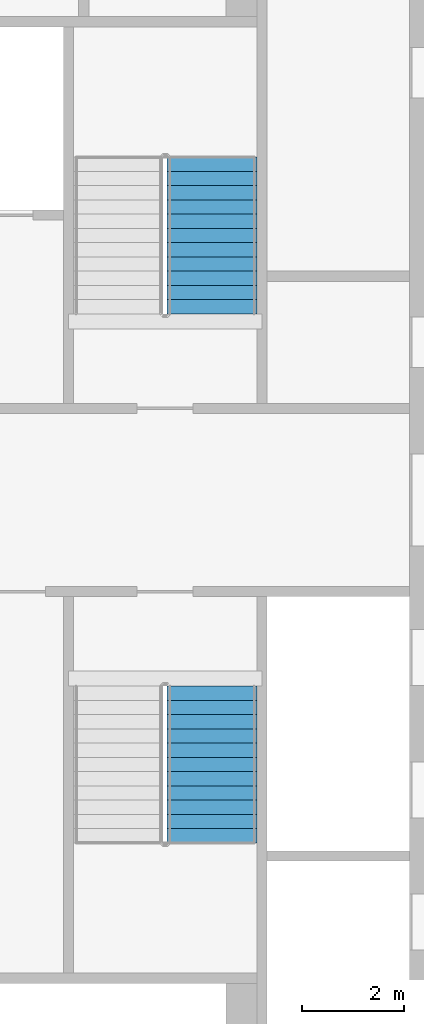
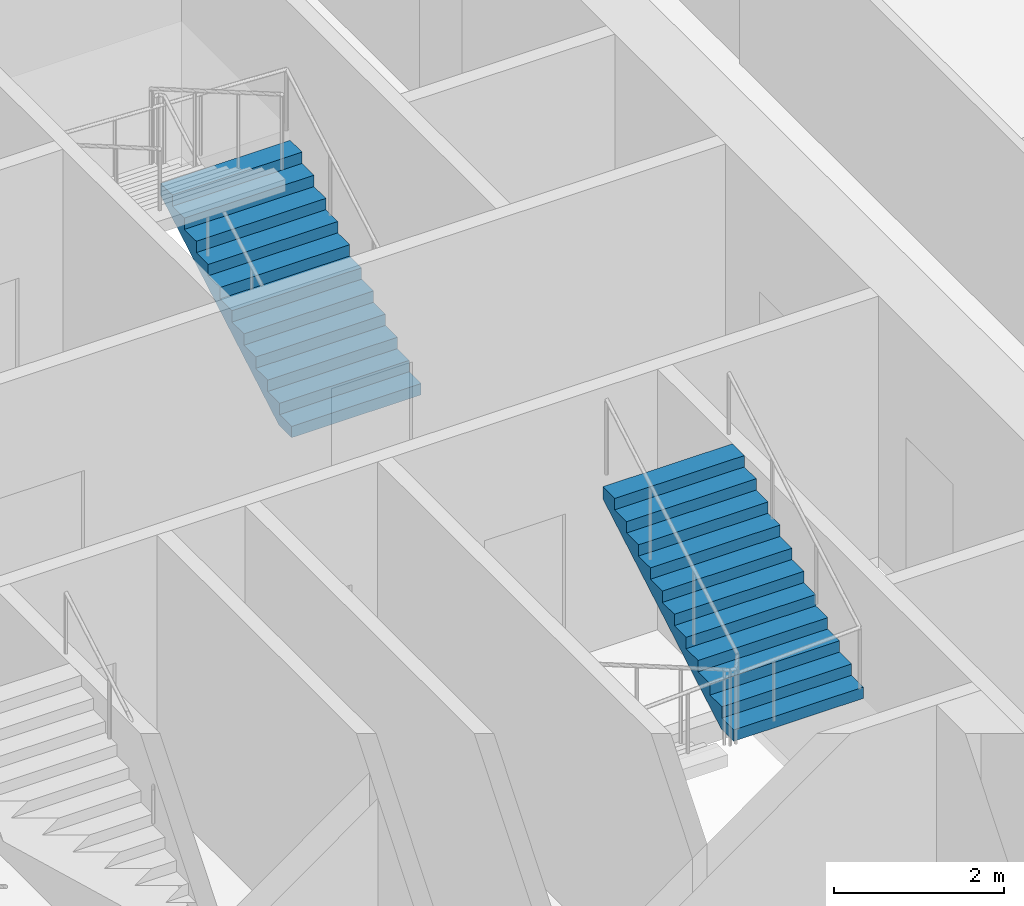
# One storey, part 10 of 15: 2 stair flights, 2 elements without a shape of their own.
"""IFC4 building model written with IfcOpenShell, lengths in metres."""

import ifcopenshell
import ifcopenshell.guid

model = None  # the IFC model being written
_history = None  # IfcOwnerHistory: only IFC2X3 demands one
_inside = {}  # id of a spatial element -> (the spatial element, [elements in it])
_under = {}  # id of a project, library or spatial element -> (it, [spatial elements below it])
_declared = {}  # id of a project -> (the project, [libraries it declares])
_typed = {}  # id of a type object -> (the type object, [elements of that type])
_made_of = {}  # id of a material, layer set ... -> (it, [elements and type objects made of it])


def new_model(schema):
    """Start an empty IFC model of exactly this schema.

    Asked for "IFC4X3", IfcOpenShell would pick the latest addendum, in which some entities
    have other attributes; the version numbers below select the first issue.
    IFC2X3 requires an IfcOwnerHistory on every rooted entity: one is made here for all.
    """
    global model, _history
    if schema == "IFC4X3":
        model = ifcopenshell.file(schema_version=(4, 3, 0, 0))
    else:
        model = ifcopenshell.file(schema=schema)
    _inside.clear()
    _under.clear()
    _declared.clear()
    _typed.clear()
    _made_of.clear()
    _history = None
    if model.schema == "IFC2X3":
        org = make("IfcOrganization", Name="unknown")
        user = make(
            "IfcPersonAndOrganization",
            ThePerson=make("IfcPerson", FamilyName="unknown"),
            TheOrganization=org,
        )
        app = make(
            "IfcApplication",
            ApplicationDeveloper=org,
            Version="unknown",
            ApplicationFullName="unknown",
            ApplicationIdentifier="unknown",
        )
        _history = make(
            "IfcOwnerHistory",
            OwningUser=user,
            OwningApplication=app,
            ChangeAction="ADDED",
            CreationDate=0,
        )
    return model


def make(cls, **values):
    """One entity of the class cls with the attributes given. An attribute that is None is left unset."""
    return model.create_entity(
        cls, **{name: value for name, value in values.items() if value is not None}
    )


def rooted(cls, **values):
    """An entity with a GlobalId (a new one), such as an element, a storey or a relation."""
    return make(cls, GlobalId=ifcopenshell.guid.new(), OwnerHistory=_history, **values)


def si_unit(unit_type, name, prefix=None):
    """IfcSIUnit, for example si_unit("LENGTHUNIT", "METRE", prefix="MILLI")."""
    return make("IfcSIUnit", UnitType=unit_type, Prefix=prefix, Name=name)


def assignment(units):
    """IfcUnitAssignment: the units of a project."""
    return None if units is None else make("IfcUnitAssignment", Units=units)


def point(xyz):
    """IfcCartesianPoint."""
    return None if xyz is None else make("IfcCartesianPoint", Coordinates=xyz)


def direction(xyz):
    """IfcDirection."""
    return None if xyz is None else make("IfcDirection", DirectionRatios=xyz)


def frame(location, z_axis=None, x_axis=None):
    """IfcAxis2Placement3D, a coordinate frame: its origin and axes. An axis left out is left unset."""
    return make(
        "IfcAxis2Placement3D",
        Location=point(location),
        Axis=direction(z_axis),
        RefDirection=direction(x_axis),
    )


def origin():
    """The frame at (0, 0, 0) with its axes left unset."""
    return frame((0.0, 0.0, 0.0))


def place(relative_to, where):
    """IfcLocalPlacement: puts the frame where relative to a parent placement (None: the world)."""
    return make(
        "IfcLocalPlacement", PlacementRelTo=relative_to, RelativePlacement=where
    )


def context(
    kind, dimensions, precision=None, world=None, true_north=None, identifier=None
):
    """IfcGeometricRepresentationContext, for example the 3D "Model" context."""
    return make(
        "IfcGeometricRepresentationContext",
        ContextIdentifier=identifier,
        ContextType=kind,
        CoordinateSpaceDimension=dimensions,
        Precision=precision,
        WorldCoordinateSystem=world,
        TrueNorth=true_north,
    )


def subcontext(parent, identifier, kind, view, scale=None):
    """IfcGeometricRepresentationSubContext, for example "Body" below "Model"."""
    return make(
        "IfcGeometricRepresentationSubContext",
        ContextIdentifier=identifier,
        ContextType=kind,
        ParentContext=parent,
        TargetScale=scale,
        TargetView=view,
    )


def project(units=None, contexts=None):
    """IfcProject with its units and contexts."""
    return rooted(
        "IfcProject",
        Name="project",
        RepresentationContexts=contexts,
        UnitsInContext=assignment(units),
    )


def spatial(cls, under=None, at=None, **own):
    """A site, building, storey or space (cls), placed at a placement, below another one or the project."""
    s = rooted(cls, ObjectPlacement=at, **own)
    if under is not None:
        _under.setdefault(under.id(), (under, []))[1].append(s)
    return s


def faces_of(points, faces, orient=None, outer=None):
    """IfcFace entities. A face is a list of loops; a loop is a list of indices into points, from 0.

    orient and outer hold one flag for each loop. By default every Orientation is true, the
    first loop of a face is its IfcFaceOuterBound and the others are IfcFaceBound.
    """
    made = []
    for i, loops in enumerate(faces):
        bounds = []
        for j, loop in enumerate(loops):
            is_outer = j == 0 if outer is None else outer[i][j]
            bounds.append(
                make(
                    "IfcFaceOuterBound" if is_outer else "IfcFaceBound",
                    Bound=make("IfcPolyLoop", Polygon=[points[k] for k in loop]),
                    Orientation=True if orient is None else orient[i][j],
                )
            )
        made.append(make("IfcFace", Bounds=bounds))
    return made


def faceted_brep(points, faces, orient=None, outer=None, voids=None):
    """IfcFacetedBrep: a solid bounded by flat faces; with voids (closed shells), ...WithVoids."""
    shared = [point(p) for p in points]
    hull = make("IfcClosedShell", CfsFaces=faces_of(shared, faces, orient, outer))
    if voids is None:
        return make("IfcFacetedBrep", Outer=hull)
    return make(
        "IfcFacetedBrepWithVoids",
        Outer=hull,
        Voids=[
            make(cls, CfsFaces=faces_of(shared, fs, o, b)) for cls, fs, o, b in voids
        ],
    )


def shape(context_of_items, identifier, shape_type, items):
    """IfcShapeRepresentation: the items that make up one representation, for example the "Body"."""
    return make(
        "IfcShapeRepresentation",
        ContextOfItems=context_of_items,
        RepresentationIdentifier=identifier,
        RepresentationType=shape_type,
        Items=items,
    )


def material(Name=None, Category=None):
    """IfcMaterial."""
    return make("IfcMaterial", Name=Name, Category=Category)


def made_of(thing, what):
    """Note that an element or type object is made of a material, layer set ...; save() writes the relation."""
    if what is not None:
        _made_of.setdefault(what.id(), (what, []))[1].append(thing)
    return thing


def type_object(cls, material=None, **own):
    """A type object (cls), such as IfcWallType, which elements share."""
    return made_of(rooted(cls, **own), material)


def element(
    cls,
    number,
    at=None,
    inside=None,
    cuts=None,
    type_object=None,
    material=None,
    context=None,
    identifier="Body",
    shape_type=None,
    held_by="IfcProductDefinitionShape",
    body=None,
    shapes=None,
    **own,
):
    """One element of the class cls, such as IfcWall. Its Tag is "e" and its number.

    at: its placement. inside: the storey or other place that contains it. cuts: it is an
    opening in that element (IfcRelVoidsElement). A single representation is given by context,
    identifier, shape_type and body (its items); several are given by shapes. held_by: the class
    of the entity that holds the representations. save() writes the other relations.
    """
    e = rooted(cls, Tag="e%d" % number, ObjectPlacement=at, **own)
    if body is not None:
        shapes = [shape(context, identifier, shape_type, body)]
    if shapes is not None:
        e.Representation = make(held_by, Representations=shapes)
    if inside is not None:
        _inside.setdefault(inside.id(), (inside, []))[1].append(e)
    if cuts is not None:
        rooted(
            "IfcRelVoidsElement", RelatingBuildingElement=cuts, RelatedOpeningElement=e
        )
    if type_object is not None:
        _typed.setdefault(type_object.id(), (type_object, []))[1].append(e)
    return made_of(e, material)


def aggregate(whole, parts):
    """IfcRelAggregates: a whole, such as a stair, and the parts it consists of."""
    return rooted("IfcRelAggregates", RelatingObject=whole, RelatedObjects=parts)


def save(model, path):
    """Write the relations noted so far, then the file.

    IfcRelAggregates (storeys below a building ...), IfcRelContainedInSpatialStructure (elements
    in a storey), IfcRelDefinesByType, IfcRelAssociatesMaterial and IfcRelDeclares: one each for
    every whole, place, type object, material and project.
    """
    for whole, parts in _under.values():
        aggregate(whole, parts)
    for where, things in _inside.values():
        rooted(
            "IfcRelContainedInSpatialStructure",
            RelatedElements=things,
            RelatingStructure=where,
        )
    for kind, things in _typed.values():
        rooted("IfcRelDefinesByType", RelatedObjects=things, RelatingType=kind)
    for what, things in _made_of.values():
        rooted("IfcRelAssociatesMaterial", RelatedObjects=things, RelatingMaterial=what)
    for by, libraries in _declared.values():
        rooted("IfcRelDeclares", RelatingContext=by, RelatedDefinitions=libraries)
    model.write(path)


model = new_model("IFC4")

# Units and contexts
model_context = context("Model", 3, precision=1e-05, world=origin(), true_north=direction((0.0, 1.0)))
body_context = subcontext(model_context, "Body", "Model", "MODEL_VIEW")
ifc_project = project(units=[si_unit("LENGTHUNIT", "METRE"), si_unit("AREAUNIT", "SQUARE_METRE"), si_unit("VOLUMEUNIT", "CUBIC_METRE"), si_unit("PLANEANGLEUNIT", "RADIAN"), si_unit("MASSUNIT", "GRAM", prefix="KILO")], contexts=[model_context])

# Site, building, storey
site_placement = place(None, origin())
site = spatial("IfcSite", under=ifc_project, at=site_placement, CompositionType="ELEMENT")
building_placement = place(site_placement, origin())
building = spatial("IfcBuilding", under=site, at=building_placement, Name="Tarsis Ring Headquarters", CompositionType="ELEMENT")
storey_placement = place(building_placement, frame((0.0, 0.0, 151.5)))
storey = spatial("IfcBuildingStorey", under=building, at=storey_placement, Name="L34", CompositionType="ELEMENT", Elevation=151.5)

# Stair, stair flight
ifc_material_1 = material(Name="Core stair 1760")
stair_type = type_object("IfcStairType", Name="Core stair 1760", PredefinedType="HALF_TURN_STAIR", material=ifc_material_1)
stair_1_placement = place(storey_placement, origin())
stair_1 = element("IfcStair", 1, at=stair_1_placement, inside=storey, type_object=stair_type, Name="L34 Exit stair B", PredefinedType="HALF_TURN_STAIR")
ifc_material_2 = material(Name="Concrete C40/50", Category="concrete")
stair_flight_type = type_object("IfcStairFlightType", Name="Core stair flight 1760", PredefinedType="STRAIGHT", material=ifc_material_2)
stair_flight_1_placement = place(storey_placement, frame((5.419921875, 3.659912109375, 0.0), z_axis=(0.0, 0.0, 1.0), x_axis=(0.0, 1.0, 0.0)))
stair_flight_1 = element("IfcStairFlight", 2, at=stair_flight_1_placement, type_object=stair_flight_type, Name="Stair ST2 flight 1", NumberOfRisers=12, NumberOfTreads=11, PredefinedType="STRAIGHT", RiserHeight=0.1625, TreadLength=0.28, context=body_context, shape_type="Brep", body=[
    faceted_brep([(0.0, 0.8798828125, 0.0), (0.0, 0.8798828125, 0.16259765625), (0.280029296875, 0.8798828125, 0.16259765625), (0.280029296875, 0.8798828125, 0.324951171875), (0.56005859375, 0.8798828125, 0.324951171875), (0.56005859375, 0.8798828125, 0.487548828125), (0.840087890625, 0.8798828125, 0.487548828125), (0.840087890625, 0.8798828125, 0.64990234375), (1.1201171875, 0.8798828125, 0.64990234375), (1.1201171875, 0.8798828125, 0.8125), (1.39990234375, 0.8798828125, 0.8125), (1.39990234375, 0.8798828125, 0.97509765625), (1.679931640625, 0.8798828125, 0.97509765625), (1.679931640625, 0.8798828125, 1.137451171875), (1.9599609375, 0.8798828125, 1.137451171875), (1.9599609375, 0.8798828125, 1.300048828125), (2.239990234375, 0.8798828125, 1.300048828125), (2.239990234375, 0.8798828125, 1.46240234375), (2.52001953125, 0.8798828125, 1.46240234375), (2.52001953125, 0.8798828125, 1.625), (2.800048828125, 0.8798828125, 1.625), (2.800048828125, 0.8798828125, 1.78759765625), (3.080078125, 0.8798828125, 1.78759765625), (3.080078125, 0.8798828125, 1.6142578125), (0.298583984375, 0.8798828125, 0.0), (0.298583984375, -0.8798828125, 0.0), (3.080078125, -0.8798828125, 1.6142578125), (3.080078125, -0.8798828125, 1.78759765625), (2.800048828125, -0.8798828125, 1.78759765625), (2.800048828125, -0.8798828125, 1.625), (2.52001953125, -0.8798828125, 1.625), (2.52001953125, -0.8798828125, 1.46240234375), (2.239990234375, -0.8798828125, 1.46240234375), (2.239990234375, -0.8798828125, 1.300048828125), (1.9599609375, -0.8798828125, 1.300048828125), (1.9599609375, -0.8798828125, 1.137451171875), (1.679931640625, -0.8798828125, 1.137451171875), (1.679931640625, -0.8798828125, 0.97509765625), (1.39990234375, -0.8798828125, 0.97509765625), (1.39990234375, -0.8798828125, 0.8125), (1.1201171875, -0.8798828125, 0.8125), (1.1201171875, -0.8798828125, 0.64990234375), (0.840087890625, -0.8798828125, 0.64990234375), (0.840087890625, -0.8798828125, 0.487548828125), (0.56005859375, -0.8798828125, 0.487548828125), (0.56005859375, -0.8798828125, 0.324951171875), (0.280029296875, -0.8798828125, 0.324951171875), (0.280029296875, -0.8798828125, 0.16259765625), (0.0, -0.8798828125, 0.16259765625), (0.0, -0.8798828125, 0.0), (0.0, -0.43994140625, 0.16259765625), (0.0, -0.43994140625, 0.0), (0.0, 0.0, 0.16259765625), (0.0, 0.0, 0.0), (0.0, 0.43994140625, 0.16259765625), (0.0, 0.43994140625, 0.0), (0.280029296875, -0.43994140625, 0.16259765625), (0.280029296875, 0.0, 0.16259765625), (0.280029296875, 0.43994140625, 0.16259765625), (0.280029296875, -0.43994140625, 0.324951171875), (0.280029296875, 0.0, 0.324951171875), (0.280029296875, 0.43994140625, 0.324951171875), (0.56005859375, -0.43994140625, 0.324951171875), (0.56005859375, 0.0, 0.324951171875), (0.56005859375, 0.43994140625, 0.324951171875), (0.56005859375, -0.43994140625, 0.487548828125), (0.56005859375, 0.0, 0.487548828125), (0.56005859375, 0.43994140625, 0.487548828125), (0.840087890625, -0.43994140625, 0.487548828125), (0.840087890625, 0.0, 0.487548828125), (0.840087890625, 0.43994140625, 0.487548828125), (0.840087890625, -0.43994140625, 0.64990234375), (0.840087890625, 0.0, 0.64990234375), (0.840087890625, 0.43994140625, 0.64990234375), (1.1201171875, -0.43994140625, 0.64990234375), (1.1201171875, 0.0, 0.64990234375), (1.1201171875, 0.43994140625, 0.64990234375), (1.1201171875, -0.43994140625, 0.8125), (1.1201171875, 0.0, 0.8125), (1.1201171875, 0.43994140625, 0.8125), (1.39990234375, -0.43994140625, 0.8125), (1.39990234375, 0.0, 0.8125), (1.39990234375, 0.43994140625, 0.8125), (1.39990234375, -0.43994140625, 0.97509765625), (1.39990234375, 0.0, 0.97509765625), (1.39990234375, 0.43994140625, 0.97509765625), (1.679931640625, -0.43994140625, 0.97509765625), (1.679931640625, 0.0, 0.97509765625), (1.679931640625, 0.43994140625, 0.97509765625), (1.679931640625, -0.43994140625, 1.137451171875), (1.679931640625, 0.0, 1.137451171875), (1.679931640625, 0.43994140625, 1.137451171875), (1.9599609375, -0.43994140625, 1.137451171875), (1.9599609375, 0.0, 1.137451171875), (1.9599609375, 0.43994140625, 1.137451171875), (1.9599609375, -0.43994140625, 1.300048828125), (1.9599609375, 0.0, 1.300048828125), (1.9599609375, 0.43994140625, 1.300048828125), (2.239990234375, -0.43994140625, 1.300048828125), (2.239990234375, 0.0, 1.300048828125), (2.239990234375, 0.43994140625, 1.300048828125), (2.239990234375, -0.43994140625, 1.46240234375), (2.239990234375, 0.0, 1.46240234375), (2.239990234375, 0.43994140625, 1.46240234375), (2.52001953125, -0.43994140625, 1.46240234375), (2.52001953125, 0.0, 1.46240234375), (2.52001953125, 0.43994140625, 1.46240234375), (2.52001953125, -0.43994140625, 1.625), (2.52001953125, 0.0, 1.625), (2.52001953125, 0.43994140625, 1.625), (2.800048828125, -0.43994140625, 1.625), (2.800048828125, 0.0, 1.625), (2.800048828125, 0.43994140625, 1.625), (2.800048828125, -0.43994140625, 1.78759765625), (2.800048828125, 0.0, 1.78759765625), (2.800048828125, 0.43994140625, 1.78759765625), (3.080078125, -0.43994140625, 1.78759765625), (3.080078125, 0.0, 1.78759765625), (3.080078125, 0.43994140625, 1.78759765625), (3.080078125, -0.43994140625, 1.6142578125), (3.080078125, 0.0, 1.6142578125), (3.080078125, 0.43994140625, 1.6142578125), (0.298583984375, -0.43994140625, 0.0), (0.298583984375, 0.0, 0.0), (0.298583984375, 0.43994140625, 0.0)], [[[0, 1, 2, 3, 4, 5, 6, 7, 8, 9, 10, 11, 12, 13, 14, 15, 16, 17, 18, 19, 20, 21, 22, 23, 24]], [[25, 26, 27, 28, 29, 30, 31, 32, 33, 34, 35, 36, 37, 38, 39, 40, 41, 42, 43, 44, 45, 46, 47, 48, 49]], [[49, 48, 50, 51]], [[51, 50, 52, 53]], [[53, 52, 54, 55]], [[55, 54, 1, 0]], [[48, 47, 56, 50]], [[50, 56, 57, 52]], [[52, 57, 58, 54]], [[54, 58, 2, 1]], [[47, 46, 59, 56]], [[56, 59, 60, 57]], [[57, 60, 61, 58]], [[58, 61, 3, 2]], [[46, 45, 62, 59]], [[59, 62, 63, 60]], [[60, 63, 64, 61]], [[61, 64, 4, 3]], [[45, 44, 65, 62]], [[62, 65, 66, 63]], [[63, 66, 67, 64]], [[64, 67, 5, 4]], [[44, 43, 68, 65]], [[65, 68, 69, 66]], [[66, 69, 70, 67]], [[67, 70, 6, 5]], [[43, 42, 71, 68]], [[68, 71, 72, 69]], [[69, 72, 73, 70]], [[70, 73, 7, 6]], [[42, 41, 74, 71]], [[71, 74, 75, 72]], [[72, 75, 76, 73]], [[73, 76, 8, 7]], [[41, 40, 77, 74]], [[74, 77, 78, 75]], [[75, 78, 79, 76]], [[76, 79, 9, 8]], [[40, 39, 80, 77]], [[77, 80, 81, 78]], [[78, 81, 82, 79]], [[79, 82, 10, 9]], [[39, 38, 83, 80]], [[80, 83, 84, 81]], [[81, 84, 85, 82]], [[82, 85, 11, 10]], [[38, 37, 86, 83]], [[83, 86, 87, 84]], [[84, 87, 88, 85]], [[85, 88, 12, 11]], [[37, 36, 89, 86]], [[86, 89, 90, 87]], [[87, 90, 91, 88]], [[88, 91, 13, 12]], [[36, 35, 92, 89]], [[89, 92, 93, 90]], [[90, 93, 94, 91]], [[91, 94, 14, 13]], [[35, 34, 95, 92]], [[92, 95, 96, 93]], [[93, 96, 97, 94]], [[94, 97, 15, 14]], [[34, 33, 98, 95]], [[95, 98, 99, 96]], [[96, 99, 100, 97]], [[97, 100, 16, 15]], [[33, 32, 101, 98]], [[98, 101, 102, 99]], [[99, 102, 103, 100]], [[100, 103, 17, 16]], [[32, 31, 104, 101]], [[101, 104, 105, 102]], [[102, 105, 106, 103]], [[103, 106, 18, 17]], [[31, 30, 107, 104]], [[104, 107, 108, 105]], [[105, 108, 109, 106]], [[106, 109, 19, 18]], [[30, 29, 110, 107]], [[107, 110, 111, 108]], [[108, 111, 112, 109]], [[109, 112, 20, 19]], [[29, 28, 113, 110]], [[110, 113, 114, 111]], [[111, 114, 115, 112]], [[112, 115, 21, 20]], [[28, 27, 116, 113]], [[113, 116, 117, 114]], [[114, 117, 118, 115]], [[115, 118, 22, 21]], [[27, 26, 119, 116]], [[116, 119, 120, 117]], [[117, 120, 121, 118]], [[118, 121, 23, 22]], [[26, 25, 122, 119]], [[119, 122, 123, 120]], [[120, 123, 124, 121]], [[121, 124, 24, 23]], [[25, 49, 51, 122]], [[122, 51, 53, 123]], [[123, 53, 55, 124]], [[124, 55, 0, 24]]]),
])
aggregate(stair_1, [stair_flight_1])

stair_2_placement = place(storey_placement, origin())
stair_2 = element("IfcStair", 3, at=stair_2_placement, inside=storey, type_object=stair_type, Name="L34 Exit stair D", PredefinedType="HALF_TURN_STAIR")
stair_flight_2_placement = place(storey_placement, frame((5.419921875, -6.739990234375, 1.949951171875), z_axis=(0.0, 0.0, 1.0), x_axis=(0.0, 1.0, 0.0)))
stair_flight_2 = element("IfcStairFlight", 4, at=stair_flight_2_placement, type_object=stair_flight_type, Name="Stair ST4 flight 2", NumberOfRisers=12, NumberOfTreads=11, PredefinedType="STRAIGHT", RiserHeight=0.1625, TreadLength=0.28, context=body_context, shape_type="Brep", body=[
    faceted_brep([(0.0, 0.8798828125, 0.0), (0.0, 0.8798828125, 0.16259765625), (0.280029296875, 0.8798828125, 0.16259765625), (0.280029296875, 0.8798828125, 0.324951171875), (0.56005859375, 0.8798828125, 0.324951171875), (0.56005859375, 0.8798828125, 0.487548828125), (0.840087890625, 0.8798828125, 0.487548828125), (0.840087890625, 0.8798828125, 0.64990234375), (1.1201171875, 0.8798828125, 0.64990234375), (1.1201171875, 0.8798828125, 0.8125), (1.39990234375, 0.8798828125, 0.8125), (1.39990234375, 0.8798828125, 0.97509765625), (1.679931640625, 0.8798828125, 0.97509765625), (1.679931640625, 0.8798828125, 1.137451171875), (1.9599609375, 0.8798828125, 1.137451171875), (1.9599609375, 0.8798828125, 1.300048828125), (2.239990234375, 0.8798828125, 1.300048828125), (2.239990234375, 0.8798828125, 1.46240234375), (2.52001953125, 0.8798828125, 1.46240234375), (2.52001953125, 0.8798828125, 1.625), (2.800048828125, 0.8798828125, 1.625), (2.800048828125, 0.8798828125, 1.78759765625), (3.080078125, 0.8798828125, 1.78759765625), (3.080078125, 0.8798828125, 1.6142578125), (0.298583984375, 0.8798828125, 0.0), (0.298583984375, -0.8798828125, 0.0), (3.080078125, -0.8798828125, 1.6142578125), (3.080078125, -0.8798828125, 1.78759765625), (2.800048828125, -0.8798828125, 1.78759765625), (2.800048828125, -0.8798828125, 1.625), (2.52001953125, -0.8798828125, 1.625), (2.52001953125, -0.8798828125, 1.46240234375), (2.239990234375, -0.8798828125, 1.46240234375), (2.239990234375, -0.8798828125, 1.300048828125), (1.9599609375, -0.8798828125, 1.300048828125), (1.9599609375, -0.8798828125, 1.137451171875), (1.679931640625, -0.8798828125, 1.137451171875), (1.679931640625, -0.8798828125, 0.97509765625), (1.39990234375, -0.8798828125, 0.97509765625), (1.39990234375, -0.8798828125, 0.8125), (1.1201171875, -0.8798828125, 0.8125), (1.1201171875, -0.8798828125, 0.64990234375), (0.840087890625, -0.8798828125, 0.64990234375), (0.840087890625, -0.8798828125, 0.487548828125), (0.56005859375, -0.8798828125, 0.487548828125), (0.56005859375, -0.8798828125, 0.324951171875), (0.280029296875, -0.8798828125, 0.324951171875), (0.280029296875, -0.8798828125, 0.16259765625), (0.0, -0.8798828125, 0.16259765625), (0.0, -0.8798828125, 0.0), (0.0, -0.43994140625, 0.16259765625), (0.0, -0.43994140625, 0.0), (0.0, 0.0, 0.16259765625), (0.0, 0.0, 0.0), (0.0, 0.43994140625, 0.16259765625), (0.0, 0.43994140625, 0.0), (0.280029296875, -0.43994140625, 0.16259765625), (0.280029296875, 0.0, 0.16259765625), (0.280029296875, 0.43994140625, 0.16259765625), (0.280029296875, -0.43994140625, 0.324951171875), (0.280029296875, 0.0, 0.324951171875), (0.280029296875, 0.43994140625, 0.324951171875), (0.56005859375, -0.43994140625, 0.324951171875), (0.56005859375, 0.0, 0.324951171875), (0.56005859375, 0.43994140625, 0.324951171875), (0.56005859375, -0.43994140625, 0.487548828125), (0.56005859375, 0.0, 0.487548828125), (0.56005859375, 0.43994140625, 0.487548828125), (0.840087890625, -0.43994140625, 0.487548828125), (0.840087890625, 0.0, 0.487548828125), (0.840087890625, 0.43994140625, 0.487548828125), (0.840087890625, -0.43994140625, 0.64990234375), (0.840087890625, 0.0, 0.64990234375), (0.840087890625, 0.43994140625, 0.64990234375), (1.1201171875, -0.43994140625, 0.64990234375), (1.1201171875, 0.0, 0.64990234375), (1.1201171875, 0.43994140625, 0.64990234375), (1.1201171875, -0.43994140625, 0.8125), (1.1201171875, 0.0, 0.8125), (1.1201171875, 0.43994140625, 0.8125), (1.39990234375, -0.43994140625, 0.8125), (1.39990234375, 0.0, 0.8125), (1.39990234375, 0.43994140625, 0.8125), (1.39990234375, -0.43994140625, 0.97509765625), (1.39990234375, 0.0, 0.97509765625), (1.39990234375, 0.43994140625, 0.97509765625), (1.679931640625, -0.43994140625, 0.97509765625), (1.679931640625, 0.0, 0.97509765625), (1.679931640625, 0.43994140625, 0.97509765625), (1.679931640625, -0.43994140625, 1.137451171875), (1.679931640625, 0.0, 1.137451171875), (1.679931640625, 0.43994140625, 1.137451171875), (1.9599609375, -0.43994140625, 1.137451171875), (1.9599609375, 0.0, 1.137451171875), (1.9599609375, 0.43994140625, 1.137451171875), (1.9599609375, -0.43994140625, 1.300048828125), (1.9599609375, 0.0, 1.300048828125), (1.9599609375, 0.43994140625, 1.300048828125), (2.239990234375, -0.43994140625, 1.300048828125), (2.239990234375, 0.0, 1.300048828125), (2.239990234375, 0.43994140625, 1.300048828125), (2.239990234375, -0.43994140625, 1.46240234375), (2.239990234375, 0.0, 1.46240234375), (2.239990234375, 0.43994140625, 1.46240234375), (2.52001953125, -0.43994140625, 1.46240234375), (2.52001953125, 0.0, 1.46240234375), (2.52001953125, 0.43994140625, 1.46240234375), (2.52001953125, -0.43994140625, 1.625), (2.52001953125, 0.0, 1.625), (2.52001953125, 0.43994140625, 1.625), (2.800048828125, -0.43994140625, 1.625), (2.800048828125, 0.0, 1.625), (2.800048828125, 0.43994140625, 1.625), (2.800048828125, -0.43994140625, 1.78759765625), (2.800048828125, 0.0, 1.78759765625), (2.800048828125, 0.43994140625, 1.78759765625), (3.080078125, -0.43994140625, 1.78759765625), (3.080078125, 0.0, 1.78759765625), (3.080078125, 0.43994140625, 1.78759765625), (3.080078125, -0.43994140625, 1.6142578125), (3.080078125, 0.0, 1.6142578125), (3.080078125, 0.43994140625, 1.6142578125), (0.298583984375, -0.43994140625, 0.0), (0.298583984375, 0.0, 0.0), (0.298583984375, 0.43994140625, 0.0)], [[[0, 1, 2, 3, 4, 5, 6, 7, 8, 9, 10, 11, 12, 13, 14, 15, 16, 17, 18, 19, 20, 21, 22, 23, 24]], [[25, 26, 27, 28, 29, 30, 31, 32, 33, 34, 35, 36, 37, 38, 39, 40, 41, 42, 43, 44, 45, 46, 47, 48, 49]], [[49, 48, 50, 51]], [[51, 50, 52, 53]], [[53, 52, 54, 55]], [[55, 54, 1, 0]], [[48, 47, 56, 50]], [[50, 56, 57, 52]], [[52, 57, 58, 54]], [[54, 58, 2, 1]], [[47, 46, 59, 56]], [[56, 59, 60, 57]], [[57, 60, 61, 58]], [[58, 61, 3, 2]], [[46, 45, 62, 59]], [[59, 62, 63, 60]], [[60, 63, 64, 61]], [[61, 64, 4, 3]], [[45, 44, 65, 62]], [[62, 65, 66, 63]], [[63, 66, 67, 64]], [[64, 67, 5, 4]], [[44, 43, 68, 65]], [[65, 68, 69, 66]], [[66, 69, 70, 67]], [[67, 70, 6, 5]], [[43, 42, 71, 68]], [[68, 71, 72, 69]], [[69, 72, 73, 70]], [[70, 73, 7, 6]], [[42, 41, 74, 71]], [[71, 74, 75, 72]], [[72, 75, 76, 73]], [[73, 76, 8, 7]], [[41, 40, 77, 74]], [[74, 77, 78, 75]], [[75, 78, 79, 76]], [[76, 79, 9, 8]], [[40, 39, 80, 77]], [[77, 80, 81, 78]], [[78, 81, 82, 79]], [[79, 82, 10, 9]], [[39, 38, 83, 80]], [[80, 83, 84, 81]], [[81, 84, 85, 82]], [[82, 85, 11, 10]], [[38, 37, 86, 83]], [[83, 86, 87, 84]], [[84, 87, 88, 85]], [[85, 88, 12, 11]], [[37, 36, 89, 86]], [[86, 89, 90, 87]], [[87, 90, 91, 88]], [[88, 91, 13, 12]], [[36, 35, 92, 89]], [[89, 92, 93, 90]], [[90, 93, 94, 91]], [[91, 94, 14, 13]], [[35, 34, 95, 92]], [[92, 95, 96, 93]], [[93, 96, 97, 94]], [[94, 97, 15, 14]], [[34, 33, 98, 95]], [[95, 98, 99, 96]], [[96, 99, 100, 97]], [[97, 100, 16, 15]], [[33, 32, 101, 98]], [[98, 101, 102, 99]], [[99, 102, 103, 100]], [[100, 103, 17, 16]], [[32, 31, 104, 101]], [[101, 104, 105, 102]], [[102, 105, 106, 103]], [[103, 106, 18, 17]], [[31, 30, 107, 104]], [[104, 107, 108, 105]], [[105, 108, 109, 106]], [[106, 109, 19, 18]], [[30, 29, 110, 107]], [[107, 110, 111, 108]], [[108, 111, 112, 109]], [[109, 112, 20, 19]], [[29, 28, 113, 110]], [[110, 113, 114, 111]], [[111, 114, 115, 112]], [[112, 115, 21, 20]], [[28, 27, 116, 113]], [[113, 116, 117, 114]], [[114, 117, 118, 115]], [[115, 118, 22, 21]], [[27, 26, 119, 116]], [[116, 119, 120, 117]], [[117, 120, 121, 118]], [[118, 121, 23, 22]], [[26, 25, 122, 119]], [[119, 122, 123, 120]], [[120, 123, 124, 121]], [[121, 124, 24, 23]], [[25, 49, 51, 122]], [[122, 51, 53, 123]], [[123, 53, 55, 124]], [[124, 55, 0, 24]]]),
])
aggregate(stair_2, [stair_flight_2])

save(model, "model.ifc")
